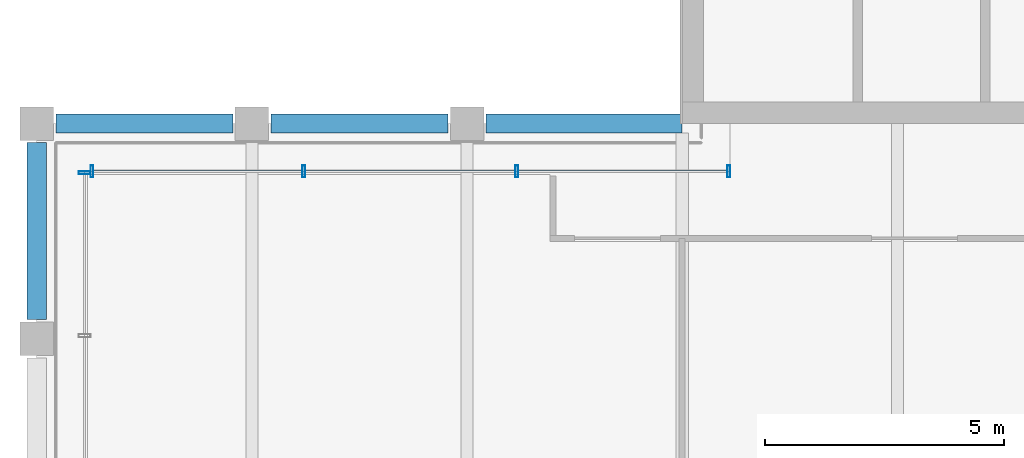
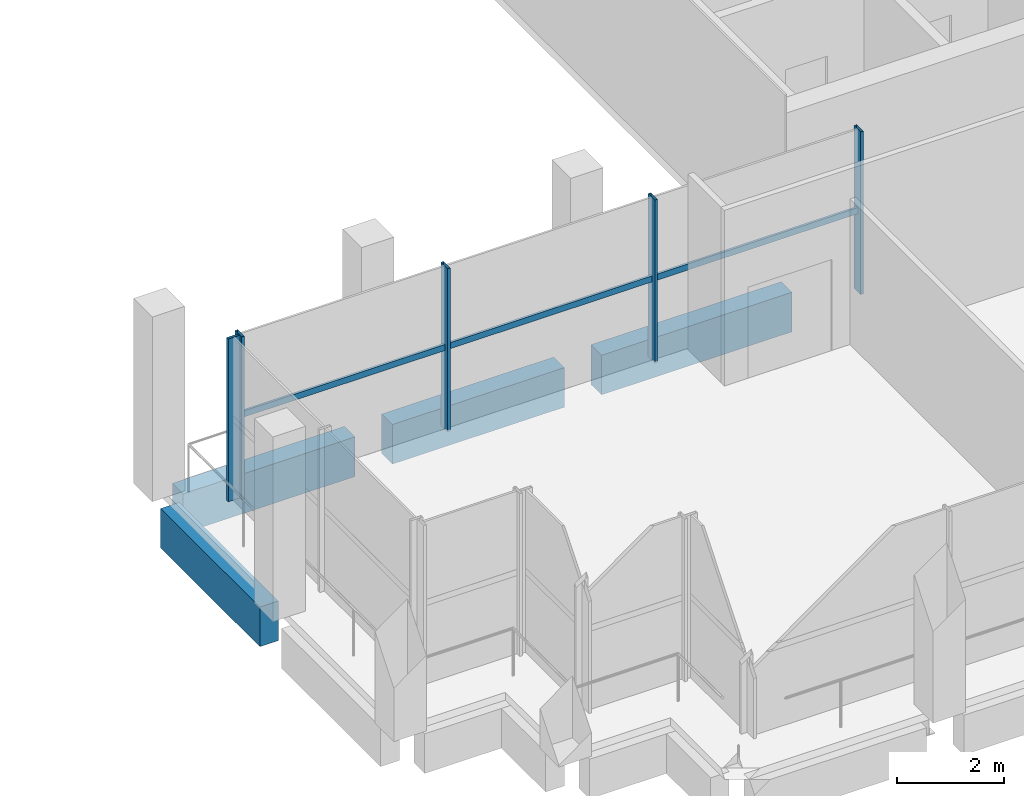
# One storey, part 4 of 17: 8 members, 4 beams, 2 elements without a shape of their own.
"""IFC4 building model written with IfcOpenShell, lengths in metres."""

from ifc_helpers import new_model, si_unit, direction, frame, origin, origin_2d, place, context, subcontext, project, spatial, rectangle, hollow_rectangle, extrude, material, material_profile, profile_set, type_object, element, aggregate, save


model = new_model("IFC4")

# Units and contexts
model_context = context("Model", 3, precision=1e-05, world=origin(), true_north=direction((0.0, 1.0)))
body_context = subcontext(model_context, "Body", "Model", "MODEL_VIEW")
ifc_project = project(units=[si_unit("LENGTHUNIT", "METRE"), si_unit("AREAUNIT", "SQUARE_METRE"), si_unit("VOLUMEUNIT", "CUBIC_METRE"), si_unit("PLANEANGLEUNIT", "RADIAN"), si_unit("MASSUNIT", "GRAM", prefix="KILO")], contexts=[model_context])

# Site, building, storey
site_placement = place(None, origin())
site = spatial("IfcSite", under=ifc_project, at=site_placement, CompositionType="ELEMENT")
building_placement = place(site_placement, origin())
building = spatial("IfcBuilding", under=site, at=building_placement, Name="Altepetl Exchange Towers", CompositionType="ELEMENT")
storey_placement = place(building_placement, frame((0.0, 0.0, 251.0)))
storey = spatial("IfcBuildingStorey", under=building, at=storey_placement, Name="L64", CompositionType="ELEMENT", Elevation=251.0)

# Curtain wall, members
ifc_material_1 = material(Name="Aluminium 6063-T6 glazing", Category="aluminium")
curtain_wall_type = type_object("IfcCurtainWallType", Name="Executive flush glazing system", PredefinedType="NOTDEFINED", material=ifc_material_1)
curtain_wall_1_placement = place(storey_placement, origin())
curtain_wall_1 = element("IfcCurtainWall", 1, at=curtain_wall_1_placement, inside=storey, type_object=curtain_wall_type, Name="CW4 run", PredefinedType="NOTDEFINED")
ifc_material_2 = material(Name="Aluminium 6063-T6", Category="aluminium")
ifc_material_profile_1 = material_profile(ifc_material_2, hollow_rectangle(XDim=0.06005859375, YDim=0.25, WallThickness=0.0029296875, at=origin_2d()), Name="Mullion 60x250 hollow aluminium")
ifc_profile_set_1 = profile_set([ifc_material_profile_1], Name="Aluminium 6063-T6")
member_type_1 = type_object("IfcMemberType", Name="Mullion 60x250 hollow aluminium", PredefinedType="MULLION", material=ifc_profile_set_1)
member_1_placement = place(storey_placement, frame((41.469970703125, 39.5, 0.0), z_axis=(0.0, 0.0, 1.0), x_axis=(-1.0, 0.0, 0.0)))
member_1 = element("IfcMember", 2, at=member_1_placement, type_object=member_type_1, Name="MU3 mullion", PredefinedType="MULLION", context=body_context, shape_type="SweptSolid", body=[
    extrude(hollow_rectangle(XDim=0.06005859375, YDim=0.25, WallThickness=0.0029296875, at=origin_2d()), origin(), (0.0, 0.0, 1.0), 3.699951171875),
])
member_2_placement = place(storey_placement, frame((37.041748046875, 39.5, 0.0), z_axis=(0.0, 0.0, 1.0), x_axis=(-1.0, 0.0, 0.0)))
member_2 = element("IfcMember", 3, at=member_2_placement, type_object=member_type_1, Name="MU3 mullion", PredefinedType="MULLION", context=body_context, shape_type="SweptSolid", body=[
    extrude(hollow_rectangle(XDim=0.06005859375, YDim=0.25, WallThickness=0.0029296875, at=origin_2d()), origin(), (0.0, 0.0, 1.0), 3.699951171875),
])
member_3_placement = place(storey_placement, frame((32.583251953125, 39.5, 0.0), z_axis=(0.0, 0.0, 1.0), x_axis=(-1.0, 0.0, 0.0)))
member_3 = element("IfcMember", 4, at=member_3_placement, type_object=member_type_1, Name="MU3 mullion", PredefinedType="MULLION", context=body_context, shape_type="SweptSolid", body=[
    extrude(hollow_rectangle(XDim=0.06005859375, YDim=0.25, WallThickness=0.0029296875, at=origin_2d()), origin(), (0.0, 0.0, 1.0), 3.699951171875),
])
member_4_placement = place(storey_placement, frame((28.155029296875, 39.5, 0.0), z_axis=(0.0, 0.0, 1.0), x_axis=(-1.0, 0.0, 0.0)))
member_4 = element("IfcMember", 5, at=member_4_placement, type_object=member_type_1, Name="MU3 mullion", PredefinedType="MULLION", context=body_context, shape_type="SweptSolid", body=[
    extrude(hollow_rectangle(XDim=0.06005859375, YDim=0.25, WallThickness=0.0029296875, at=origin_2d()), origin(), (0.0, 0.0, 1.0), 3.699951171875),
])

# Curtain wall, member
curtain_wall_2_placement = place(storey_placement, origin())
curtain_wall_2 = element("IfcCurtainWall", 6, at=curtain_wall_2_placement, inside=storey, type_object=curtain_wall_type, Name="CW4 run", PredefinedType="NOTDEFINED")
member_5_placement = place(storey_placement, frame((28.0, 39.469970703125, 0.0), z_axis=(0.0, 0.0, 1.0), x_axis=(0.0, -1.0, 0.0)))
member_5 = element("IfcMember", 7, at=member_5_placement, type_object=member_type_1, Name="MU3 mullion", PredefinedType="MULLION", context=body_context, shape_type="SweptSolid", body=[
    extrude(hollow_rectangle(XDim=0.06005859375, YDim=0.25, WallThickness=0.0029296875, at=origin_2d()), origin(), (0.0, 0.0, 1.0), 3.699951171875),
])
aggregate(curtain_wall_2, [member_5])

# Beams
ifc_material_3 = material(Name="Concrete C50/60 precast with cantera blanca facing", Category="concrete")
ifc_material_profile_2 = material_profile(ifc_material_3, rectangle(XDim=0.39990234375, YDim=0.89990234375, at=origin_2d()), Name="400 x 900")
ifc_profile_set_2 = profile_set([ifc_material_profile_2], Name="Concrete C50/60 precast with cantera blanca facing")
beam_type_1 = type_object("IfcBeamType", Name="Spandrel beam 400x900 cantera blanca", PredefinedType="SPANDREL", material=ifc_profile_set_2)
beam_1_placement = place(storey_placement, frame((27.0, 40.10009765625, -0.625), z_axis=(0.0, -1.0, 0.0), x_axis=(1.0, 0.0, 0.0)))
element("IfcBeam", 8, at=beam_1_placement, inside=storey, type_object=beam_type_1, Name="sp:A:L64:036", PredefinedType="SPANDREL", context=body_context, shape_type="SweptSolid", body=[
    extrude(rectangle(XDim=0.39990234375, YDim=0.89990234375, at=origin_2d()), origin(), (0.0, 0.0, 1.0), 3.7001953125),
])
ifc_material_4 = material(Name="Concrete C50/60 precast with tezontle facing", Category="concrete")
ifc_material_profile_3 = material_profile(ifc_material_4, rectangle(XDim=0.39990234375, YDim=0.89990234375, at=origin_2d()), Name="400 x 900")
ifc_profile_set_3 = profile_set([ifc_material_profile_3], Name="Concrete C50/60 precast with tezontle facing")
beam_type_2 = type_object("IfcBeamType", Name="Spandrel beam 400x900 tezontle", PredefinedType="SPANDREL", material=ifc_profile_set_3)
beam_2_placement = place(storey_placement, frame((40.5, 40.5, -0.625), z_axis=(-1.0, 0.0, 0.0), x_axis=(0.0, -1.0, 0.0)))
element("IfcBeam", 9, at=beam_2_placement, inside=storey, type_object=beam_type_2, Name="sp:A:L64:033", PredefinedType="SPANDREL", context=body_context, shape_type="SweptSolid", body=[
    extrude(rectangle(XDim=0.39990234375, YDim=0.89990234375, at=origin_2d()), origin(), (0.0, 0.0, 1.0), 4.10009765625),
])
for number, where, z_axis, x_axis, name in (
    (10, (35.60009765625, 40.5, -0.625), (-1.0, 0.0, 0.0), (0.0, -1.0, 0.0), "sp:A:L64:034"),
    (11, (31.10009765625, 40.5, -0.625), (-1.0, 0.0, 0.0), (0.0, -1.0, 0.0), "sp:A:L64:035"),
):
    element("IfcBeam", number, at=place(storey_placement, frame(where, z_axis=z_axis, x_axis=x_axis)), inside=storey, type_object=beam_type_2, Name=name, PredefinedType="SPANDREL", context=body_context, shape_type="SweptSolid", body=[
        extrude(rectangle(XDim=0.39990234375, YDim=0.89990234375, at=origin_2d()), origin(), (0.0, 0.0, 1.0), 3.7001953125),
    ])

# Member
ifc_material_profile_4 = material_profile(ifc_material_2, hollow_rectangle(XDim=0.050048828125, YDim=0.139892578125, WallThickness=0.0029296875, at=origin_2d()), Name="Transom 50x140 hollow aluminium")
ifc_profile_set_4 = profile_set([ifc_material_profile_4], Name="Aluminium 6063-T6")
member_type_2 = type_object("IfcMemberType", Name="Transom 50x140 hollow aluminium", PredefinedType="USERDEFINED", material=ifc_profile_set_4)
member_6_placement = place(storey_placement, frame((41.43994140625, 39.5, 1.85009765625), z_axis=(-1.0, 0.0, 0.0), x_axis=(0.0, -1.0, 0.0)))
member_6 = element("IfcMember", 12, at=member_6_placement, type_object=member_type_2, Name="TR2 transom", ObjectType="TRANSOM", PredefinedType="USERDEFINED", context=body_context, shape_type="SweptSolid", body=[
    extrude(hollow_rectangle(XDim=0.050048828125, YDim=0.139892578125, WallThickness=0.0029296875, at=origin_2d()), origin(), (0.0, 0.0, 1.0), 4.3681640625),
])

member_7_placement = place(storey_placement, frame((37.01171875, 39.5, 1.85009765625), z_axis=(-1.0, 0.0, 0.0), x_axis=(0.0, -1.0, 0.0)))
member_7 = element("IfcMember", 13, at=member_7_placement, type_object=member_type_2, Name="TR2 transom", ObjectType="TRANSOM", PredefinedType="USERDEFINED", context=body_context, shape_type="SweptSolid", body=[
    extrude(hollow_rectangle(XDim=0.050048828125, YDim=0.139892578125, WallThickness=0.0029296875, at=origin_2d()), origin(), (0.0, 0.0, 1.0), 4.3984375),
])

member_8_placement = place(storey_placement, frame((32.55322265625, 39.5, 1.85009765625), z_axis=(-1.0, 0.0, 0.0), x_axis=(0.0, -1.0, 0.0)))
member_8 = element("IfcMember", 14, at=member_8_placement, type_object=member_type_2, Name="TR2 transom", ObjectType="TRANSOM", PredefinedType="USERDEFINED", context=body_context, shape_type="SweptSolid", body=[
    extrude(hollow_rectangle(XDim=0.050048828125, YDim=0.139892578125, WallThickness=0.0029296875, at=origin_2d()), origin(), (0.0, 0.0, 1.0), 4.3681640625),
])

aggregate(curtain_wall_1, [member_1, member_2, member_3, member_4, member_6, member_7, member_8])

save(model, "model.ifc")
